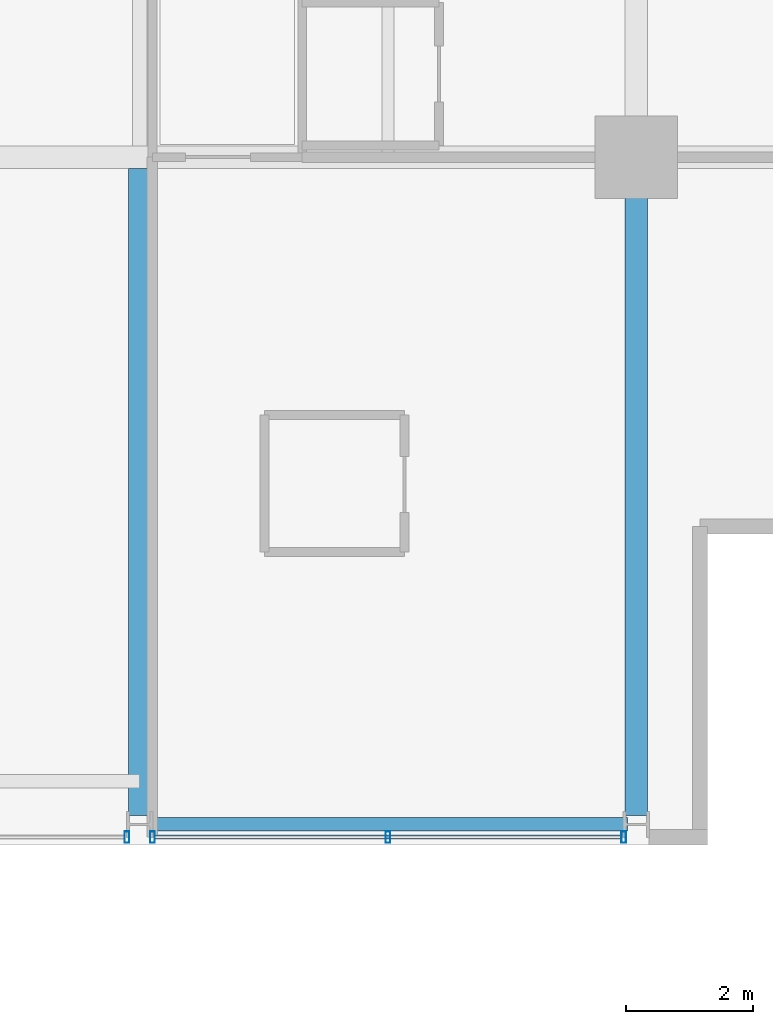
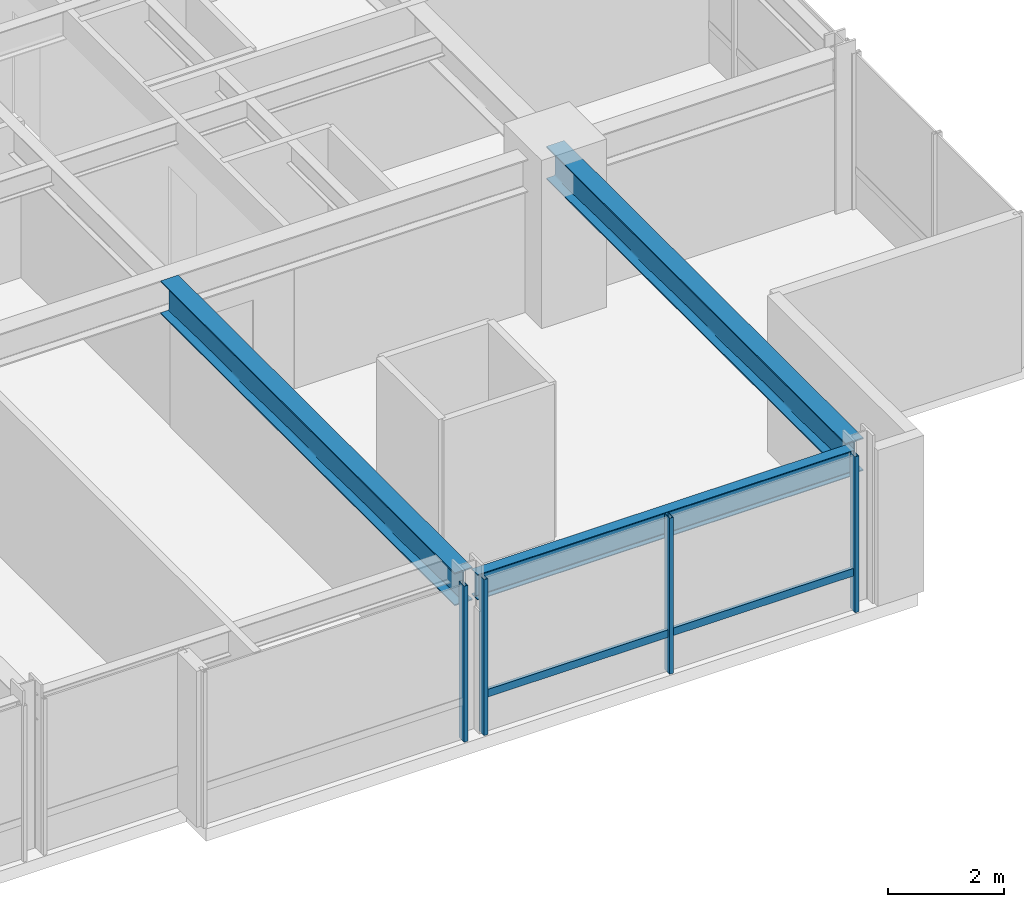
# One storey, part 11 of 32: 5 members, 3 beams, 2 elements without a shape of their own.
"""IFC4 building model written with IfcOpenShell, lengths in metres."""

from ifc_helpers import new_model, si_unit, direction, frame, origin, origin_2d, place, context, subcontext, project, spatial, hollow_rectangle, i_section, extrude, material, layer, layer_set, material_profile, profile_set, type_object, element, aggregate, save


model = new_model("IFC4")

# Units and contexts
model_context = context("Model", 3, precision=1e-05, world=origin(), true_north=direction((0.0, 1.0)))
body_context = subcontext(model_context, "Body", "Model", "MODEL_VIEW")
ifc_project = project(units=[si_unit("LENGTHUNIT", "METRE"), si_unit("AREAUNIT", "SQUARE_METRE"), si_unit("VOLUMEUNIT", "CUBIC_METRE"), si_unit("PLANEANGLEUNIT", "RADIAN"), si_unit("MASSUNIT", "GRAM", prefix="KILO")], contexts=[model_context])

# Site, building, storey
site_placement = place(None, origin())
site = spatial("IfcSite", under=ifc_project, at=site_placement, CompositionType="ELEMENT")
building_placement = place(site_placement, origin())
building = spatial("IfcBuilding", under=site, at=building_placement, Name="Drelvath Grand Hotel", CompositionType="ELEMENT")
storey_placement = place(building_placement, frame((0.0, 0.0, 150.39990234375)))
storey = spatial("IfcBuildingStorey", under=building, at=storey_placement, Name="L38", CompositionType="ELEMENT", Elevation=150.39990234375)

# Curtain wall, member
ifc_material_1 = material(Name="Brushed Pale-Silver Anodised Aluminium Frame", Category="aluminium")
ifc_layer = layer(ifc_material_1, 0.199951171875)
ifc_layer_set = layer_set([ifc_layer], Name="Brushed Pale-Silver Anodised Aluminium Frame")
curtain_wall_type = type_object("IfcCurtainWallType", Name="Stick Curtain Wall CW-04 Brushed Silver Upper-Mid", PredefinedType="NOTDEFINED", material=ifc_layer_set)
curtain_wall_1_placement = place(storey_placement, origin())
curtain_wall_1 = element("IfcCurtainWall", 1, at=curtain_wall_1_placement, inside=storey, type_object=curtain_wall_type, Name="L38 CW-04 Curtain Wall CW04-L38-SE2", PredefinedType="NOTDEFINED")
ifc_material_profile_1 = material_profile(ifc_material_1, hollow_rectangle(XDim=0.06494140625, YDim=0.159912109375, WallThickness=0.00390625, at=origin_2d()), Name="HSS160X65X4")
ifc_profile_set_1 = profile_set([ifc_material_profile_1], Name="Brushed Pale-Silver Anodised Aluminium Frame")
member_type_1 = type_object("IfcMemberType", Name="Curtain Wall Horizontal Transom CW-04 HSS160X65X4", PredefinedType="USERDEFINED", material=ifc_profile_set_1)
member_1_placement = place(storey_placement, frame((15.9599609375, 0.1201171875, 0.822509765625), z_axis=(-1.0, 0.0, 0.0), x_axis=(0.0, -1.0, 0.0)))
member_1 = element("IfcMember", 2, at=member_1_placement, type_object=member_type_1, Name="CW04-L38-SE2 Sill Transom", ObjectType="TRANSOM", PredefinedType="USERDEFINED", context=body_context, shape_type="SweptSolid", body=[
    extrude(hollow_rectangle(XDim=0.06494140625, YDim=0.159912109375, WallThickness=0.00390625, at=origin_2d()), origin(), (0.0, 0.0, 1.0), 7.31982421875),
])

curtain_wall_2_placement = place(storey_placement, origin())
curtain_wall_2 = element("IfcCurtainWall", 3, at=curtain_wall_2_placement, inside=storey, type_object=curtain_wall_type, Name="L38 CW-04 Curtain Wall CW04-L38-SE1", PredefinedType="NOTDEFINED")
ifc_material_profile_2 = material_profile(ifc_material_1, hollow_rectangle(XDim=0.074951171875, YDim=0.179931640625, WallThickness=0.0048828125, at=origin_2d()), Name="HSS180X75X5")
ifc_profile_set_2 = profile_set([ifc_material_profile_2], Name="Brushed Pale-Silver Anodised Aluminium Frame")
member_type_2 = type_object("IfcMemberType", Name="Curtain Wall Vertical Mullion CW-04 HSS180X75X5", PredefinedType="MULLION", material=ifc_profile_set_2)
member_2_placement = place(storey_placement, frame((8.199951171875, 0.1201171875, 0.0), z_axis=(0.0, 0.0, 1.0), x_axis=(1.0, 0.0, 0.0)))
member_2 = element("IfcMember", 4, at=member_2_placement, type_object=member_type_2, Name="CW04-L38-SE1 Mullion 1", PredefinedType="MULLION", context=body_context, shape_type="SweptSolid", body=[
    extrude(hollow_rectangle(XDim=0.074951171875, YDim=0.179931640625, WallThickness=0.0048828125, at=origin_2d()), origin(), (0.0, 0.0, 1.0), 3.2900390625),
])
aggregate(curtain_wall_2, [member_2])

# Member
member_3_placement = place(storey_placement, frame((16.0, 0.1201171875, 0.0), z_axis=(0.0, 0.0, 1.0), x_axis=(1.0, 0.0, 0.0)))
member_3 = element("IfcMember", 5, at=member_3_placement, type_object=member_type_2, Name="CW04-L38-SE2 Mullion 1", PredefinedType="MULLION", context=body_context, shape_type="SweptSolid", body=[
    extrude(hollow_rectangle(XDim=0.074951171875, YDim=0.179931640625, WallThickness=0.0048828125, at=origin_2d()), origin(), (0.0, 0.0, 1.0), 3.2900390625),
])

member_4_placement = place(storey_placement, frame((12.300048828125, 0.1201171875, 0.0), z_axis=(0.0, 0.0, 1.0), x_axis=(1.0, 0.0, 0.0)))
member_4 = element("IfcMember", 6, at=member_4_placement, type_object=member_type_2, Name="CW04-L38-SE2 Mullion 2", PredefinedType="MULLION", context=body_context, shape_type="SweptSolid", body=[
    extrude(hollow_rectangle(XDim=0.074951171875, YDim=0.179931640625, WallThickness=0.0048828125, at=origin_2d()), origin(), (0.0, 0.0, 1.0), 3.2900390625),
])

member_5_placement = place(storey_placement, frame((8.60009765625, 0.1201171875, 0.0), z_axis=(0.0, 0.0, 1.0), x_axis=(1.0, 0.0, 0.0)))
member_5 = element("IfcMember", 7, at=member_5_placement, type_object=member_type_2, Name="CW04-L38-SE2 Mullion 3", PredefinedType="MULLION", context=body_context, shape_type="SweptSolid", body=[
    extrude(hollow_rectangle(XDim=0.074951171875, YDim=0.179931640625, WallThickness=0.0048828125, at=origin_2d()), origin(), (0.0, 0.0, 1.0), 3.2900390625),
])

aggregate(curtain_wall_1, [member_3, member_4, member_5, member_1])

# Beams
ifc_material_2 = material(Name="Steel ASTM A992 Gr 50", Category="steel")
ifc_material_profile_3 = material_profile(ifc_material_2, i_section(OverallWidth=0.210205078125, OverallDepth=0.53662109375, WebThickness=0.010986328125, FlangeThickness=0.017333984375, FilletRadius=0.01806640625, at=origin_2d()), Name="W21X68")
ifc_profile_set_3 = profile_set([ifc_material_profile_3], Name="Steel ASTM A992 Gr 50")
beam_type_1 = type_object("IfcBeamType", Name="Perimeter Spandrel Beam W21X68", PredefinedType="SPANDREL", material=ifc_profile_set_3)
beam_1_placement = place(storey_placement, frame((8.5400390625, 0.320068359375, 3.021728515625), z_axis=(1.0, 0.0, 0.0), x_axis=(0.0, 1.0, 0.0)))
element("IfcBeam", 8, at=beam_1_placement, inside=storey, type_object=beam_type_1, Name="L38 Spandrel South E", PredefinedType="SPANDREL", context=body_context, shape_type="SweptSolid", body=[
    extrude(i_section(OverallWidth=0.210205078125, OverallDepth=0.53662109375, WebThickness=0.010986328125, FlangeThickness=0.017333984375, FilletRadius=0.01806640625, at=origin_2d()), origin(), (0.0, 0.0, 1.0), 7.52001953125),
])
ifc_material_profile_4 = material_profile(ifc_material_2, i_section(OverallWidth=0.354736328125, OverallDepth=0.695556640625, WebThickness=0.015380859375, FlangeThickness=0.025146484375, FilletRadius=0.02392578125, at=origin_2d()), Name="W27X146")
ifc_profile_set_4 = profile_set([ifc_material_profile_4], Name="Steel ASTM A992 Gr 50")
beam_type_2 = type_object("IfcBeamType", Name="Primary Floor Girder W27X146", PredefinedType="BEAM", material=ifc_profile_set_4)
beam_2_placement = place(storey_placement, frame((16.199951171875, 0.4599609375, 2.9423828125), z_axis=(0.0, 1.0, 0.0), x_axis=(-1.0, 0.0, 0.0)))
element("IfcBeam", 9, at=beam_2_placement, inside=storey, type_object=beam_type_2, Name="L38 South Grid Girder 7", PredefinedType="BEAM", context=body_context, shape_type="SweptSolid", body=[
    extrude(i_section(OverallWidth=0.354736328125, OverallDepth=0.695556640625, WebThickness=0.015380859375, FlangeThickness=0.025146484375, FilletRadius=0.02392578125, at=origin_2d()), origin(), (0.0, 0.0, 1.0), 10.340087890625),
])
beam_3_placement = place(storey_placement, frame((8.39990234375, 0.4599609375, 2.9423828125), z_axis=(0.0, 1.0, 0.0), x_axis=(-1.0, 0.0, 0.0)))
element("IfcBeam", 10, at=beam_3_placement, inside=storey, type_object=beam_type_2, Name="L38 South Wing Girder 6", PredefinedType="BEAM", context=body_context, shape_type="SweptSolid", body=[
    extrude(i_section(OverallWidth=0.354736328125, OverallDepth=0.695556640625, WebThickness=0.015380859375, FlangeThickness=0.025146484375, FilletRadius=0.02392578125, at=origin_2d()), origin(), (0.0, 0.0, 1.0), 10.16259765625),
])

save(model, "model.ifc")
